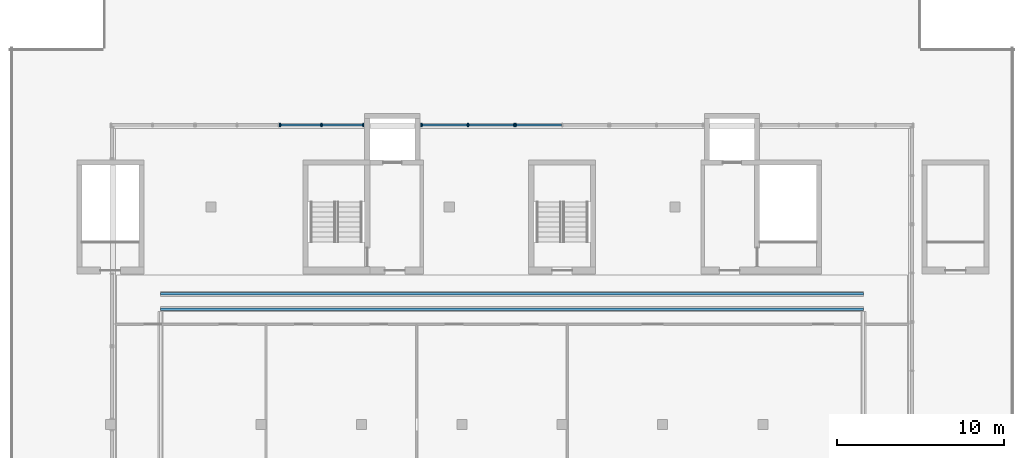
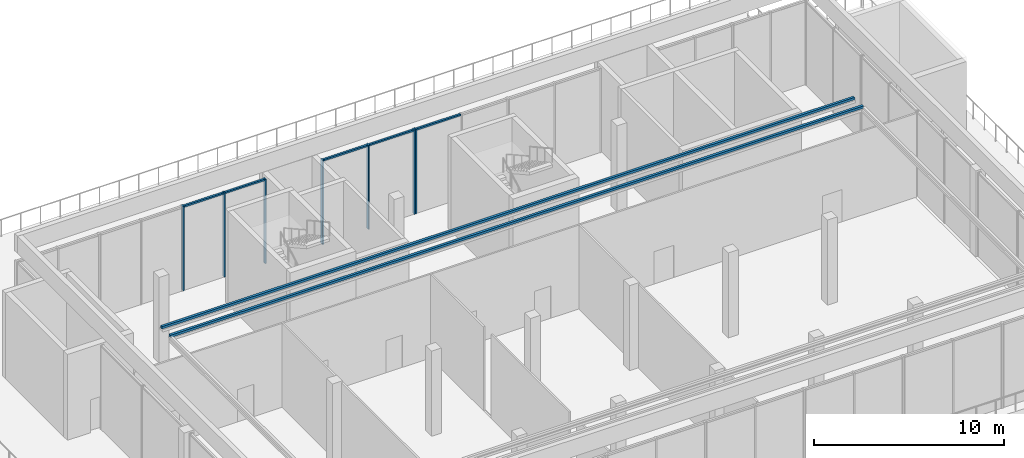
# One storey, part 5 of 11: 14 members, 3 elements without a shape of their own.
"""IFC4 building model written with IfcOpenShell, lengths in metres."""

from ifc_helpers import new_model, si_unit, direction, frame, origin, origin_2d, place, context, subcontext, project, spatial, rectangle, extrude, material, material_profile, profile_set, type_object, element, aggregate, save


model = new_model("IFC4")

# Units and contexts
model_context = context("Model", 3, precision=1e-05, world=origin(), true_north=direction((0.0, 1.0)))
body_context = subcontext(model_context, "Body", "Model", "MODEL_VIEW")
ifc_project = project(units=[si_unit("LENGTHUNIT", "METRE"), si_unit("AREAUNIT", "SQUARE_METRE"), si_unit("VOLUMEUNIT", "CUBIC_METRE"), si_unit("PLANEANGLEUNIT", "RADIAN"), si_unit("MASSUNIT", "GRAM", prefix="KILO")], contexts=[model_context])

# Site, building, storey
site_placement = place(None, origin())
site = spatial("IfcSite", under=ifc_project, at=site_placement, CompositionType="ELEMENT")
building_placement = place(site_placement, origin())
building = spatial("IfcBuilding", under=site, at=building_placement, Name="Calvaro Tower", CompositionType="ELEMENT")
storey_placement = place(building_placement, frame((0.0, 0.0, 271.949951171875)))
storey = spatial("IfcBuildingStorey", under=building, at=storey_placement, Name="L68", CompositionType="ELEMENT", Elevation=271.949951171875)

# Members
ifc_material_1 = material(Name="Steel S355", Category="steel")
ifc_material_profile_1 = material_profile(ifc_material_1, rectangle(XDim=0.14990234375, YDim=0.14990234375, at=origin_2d()), Name="BMU rail 150")
ifc_profile_set_1 = profile_set([ifc_material_profile_1], Name="Steel S355")
member_type_1 = type_object("IfcMemberType", Name="BMU rail 150", PredefinedType="USERDEFINED", material=ifc_profile_set_1)
for number, where, z_axis, x_axis, name in (
    (1, (15.0, 26.800048828125, 6.22509765625), (1.0, 0.0, 0.0), (0.0, 1.0, 0.0), "BMU rail"),
    (2, (15.0, 25.89990234375, 6.22509765625), (1.0, 0.0, 0.0), (0.0, 1.0, 0.0), "BMU rail"),
):
    element("IfcMember", number, at=place(storey_placement, frame(where, z_axis=z_axis, x_axis=x_axis)), inside=storey, type_object=member_type_1, Name=name, ObjectType="BMU RAIL", PredefinedType="USERDEFINED", context=body_context, shape_type="SweptSolid", body=[
        extrude(rectangle(XDim=0.14990234375, YDim=0.14990234375, at=origin_2d()), origin(), (0.0, 0.0, 1.0), 42.0),
    ])

# Curtain wall, members
ifc_material_2 = material(Name="Anodised aluminium", Category="aluminium")
curtain_wall_type = type_object("IfcCurtainWallType", Name="Louvre wall", PredefinedType="NOTDEFINED", material=ifc_material_2)
curtain_wall_1_placement = place(storey_placement, origin())
curtain_wall_1 = element("IfcCurtainWall", 3, at=curtain_wall_1_placement, inside=storey, type_object=curtain_wall_type, Name="CW8 drum louvre wall", PredefinedType="NOTDEFINED")
ifc_material_3 = material(Name="Anodised aluminium", Category="aluminium")
ifc_material_profile_2 = material_profile(ifc_material_3, rectangle(XDim=0.199951171875, YDim=0.080078125, at=origin_2d()), Name="Mullion LV 80 x 200")
ifc_profile_set_2 = profile_set([ifc_material_profile_2], Name="Anodised aluminium")
member_type_2 = type_object("IfcMemberType", Name="Mullion LV 80 x 200", PredefinedType="MULLION", material=ifc_profile_set_2)
member_1_placement = place(storey_placement, frame((22.139892578125, 36.89990234375, 0.0), z_axis=(0.0, 0.0, 1.0), x_axis=(0.0, 1.0, 0.0)))
member_1 = element("IfcMember", 4, at=member_1_placement, type_object=member_type_2, Name="CW8 mullion 1", PredefinedType="MULLION", context=body_context, shape_type="SweptSolid", body=[
    extrude(rectangle(XDim=0.199951171875, YDim=0.080078125, at=origin_2d()), origin(), (0.0, 0.0, 1.0), 5.400146484375),
])
member_2_placement = place(storey_placement, frame((24.625, 36.89990234375, 0.0), z_axis=(0.0, 0.0, 1.0), x_axis=(0.0, 1.0, 0.0)))
member_2 = element("IfcMember", 5, at=member_2_placement, type_object=member_type_2, Name="CW8 mullion 2", PredefinedType="MULLION", context=body_context, shape_type="SweptSolid", body=[
    extrude(rectangle(XDim=0.199951171875, YDim=0.080078125, at=origin_2d()), origin(), (0.0, 0.0, 1.0), 5.400146484375),
])
member_3_placement = place(storey_placement, frame((27.110107421875, 36.89990234375, 0.0), z_axis=(0.0, 0.0, 1.0), x_axis=(0.0, 1.0, 0.0)))
member_3 = element("IfcMember", 6, at=member_3_placement, type_object=member_type_2, Name="CW8 mullion 3", PredefinedType="MULLION", context=body_context, shape_type="SweptSolid", body=[
    extrude(rectangle(XDim=0.199951171875, YDim=0.080078125, at=origin_2d()), origin(), (0.0, 0.0, 1.0), 5.400146484375),
])

curtain_wall_2_placement = place(storey_placement, origin())
curtain_wall_2 = element("IfcCurtainWall", 7, at=curtain_wall_2_placement, inside=storey, type_object=curtain_wall_type, Name="CW8 drum louvre wall", PredefinedType="NOTDEFINED")
member_4_placement = place(storey_placement, frame((30.590087890625, 36.89990234375, 0.0), z_axis=(0.0, 0.0, 1.0), x_axis=(0.0, 1.0, 0.0)))
member_4 = element("IfcMember", 8, at=member_4_placement, type_object=member_type_2, Name="CW8 mullion 1", PredefinedType="MULLION", context=body_context, shape_type="SweptSolid", body=[
    extrude(rectangle(XDim=0.199951171875, YDim=0.080078125, at=origin_2d()), origin(), (0.0, 0.0, 1.0), 5.400146484375),
])
member_5_placement = place(storey_placement, frame((33.36669921875, 36.89990234375, 0.0), z_axis=(0.0, 0.0, 1.0), x_axis=(0.0, 1.0, 0.0)))
member_5 = element("IfcMember", 9, at=member_5_placement, type_object=member_type_2, Name="CW8 mullion 2", PredefinedType="MULLION", context=body_context, shape_type="SweptSolid", body=[
    extrude(rectangle(XDim=0.199951171875, YDim=0.080078125, at=origin_2d()), origin(), (0.0, 0.0, 1.0), 5.400146484375),
])
member_6_placement = place(storey_placement, frame((36.143310546875, 36.89990234375, 0.0), z_axis=(0.0, 0.0, 1.0), x_axis=(0.0, 1.0, 0.0)))
member_6 = element("IfcMember", 10, at=member_6_placement, type_object=member_type_2, Name="CW8 mullion 3", PredefinedType="MULLION", context=body_context, shape_type="SweptSolid", body=[
    extrude(rectangle(XDim=0.199951171875, YDim=0.080078125, at=origin_2d()), origin(), (0.0, 0.0, 1.0), 5.400146484375),
])

# Curtain wall, member
curtain_wall_3_placement = place(storey_placement, origin())
curtain_wall_3 = element("IfcCurtainWall", 11, at=curtain_wall_3_placement, inside=storey, type_object=curtain_wall_type, Name="CW8 drum louvre wall", PredefinedType="NOTDEFINED")
member_7_placement = place(storey_placement, frame((36.223388671875, 36.89990234375, 0.0), z_axis=(0.0, 0.0, 1.0), x_axis=(0.0, 1.0, 0.0)))
member_7 = element("IfcMember", 12, at=member_7_placement, type_object=member_type_2, Name="CW8 mullion 1", PredefinedType="MULLION", context=body_context, shape_type="SweptSolid", body=[
    extrude(rectangle(XDim=0.199951171875, YDim=0.080078125, at=origin_2d()), origin(), (0.0, 0.0, 1.0), 5.400146484375),
])

# Member
ifc_material_4 = material(Name="Anodised aluminium", Category="aluminium")
ifc_material_profile_3 = material_profile(ifc_material_4, rectangle(XDim=0.1201171875, YDim=0.10009765625, at=origin_2d()), Name="Transom LV 100 x 120")
ifc_profile_set_3 = profile_set([ifc_material_profile_3], Name="Anodised aluminium")
member_type_3 = type_object("IfcMemberType", Name="Transom LV 100 x 120", PredefinedType="USERDEFINED", material=ifc_profile_set_3)
member_8_placement = place(storey_placement, frame((22.179931640625, 36.89990234375, 5.35009765625), z_axis=(1.0, 0.0, 0.0), x_axis=(0.0, 1.0, 0.0)))
member_8 = element("IfcMember", 13, at=member_8_placement, type_object=member_type_3, Name="CW8 transom 1.1", ObjectType="TRANSOM", PredefinedType="USERDEFINED", context=body_context, shape_type="SweptSolid", body=[
    extrude(rectangle(XDim=0.1201171875, YDim=0.10009765625, at=origin_2d()), origin(), (0.0, 0.0, 1.0), 2.405029296875),
])

member_9_placement = place(storey_placement, frame((24.6650390625, 36.89990234375, 5.35009765625), z_axis=(1.0, 0.0, 0.0), x_axis=(0.0, 1.0, 0.0)))
member_9 = element("IfcMember", 14, at=member_9_placement, type_object=member_type_3, Name="CW8 transom 2.1", ObjectType="TRANSOM", PredefinedType="USERDEFINED", context=body_context, shape_type="SweptSolid", body=[
    extrude(rectangle(XDim=0.1201171875, YDim=0.10009765625, at=origin_2d()), origin(), (0.0, 0.0, 1.0), 2.405029296875),
])

aggregate(curtain_wall_1, [member_1, member_2, member_3, member_8, member_9])

member_10_placement = place(storey_placement, frame((30.6298828125, 36.89990234375, 5.35009765625), z_axis=(1.0, 0.0, 0.0), x_axis=(0.0, 1.0, 0.0)))
member_10 = element("IfcMember", 15, at=member_10_placement, type_object=member_type_3, Name="CW8 transom 1.1", ObjectType="TRANSOM", PredefinedType="USERDEFINED", context=body_context, shape_type="SweptSolid", body=[
    extrude(rectangle(XDim=0.1201171875, YDim=0.10009765625, at=origin_2d()), origin(), (0.0, 0.0, 1.0), 2.69677734375),
])

member_11_placement = place(storey_placement, frame((33.40673828125, 36.89990234375, 5.35009765625), z_axis=(1.0, 0.0, 0.0), x_axis=(0.0, 1.0, 0.0)))
member_11 = element("IfcMember", 16, at=member_11_placement, type_object=member_type_3, Name="CW8 transom 2.1", ObjectType="TRANSOM", PredefinedType="USERDEFINED", context=body_context, shape_type="SweptSolid", body=[
    extrude(rectangle(XDim=0.1201171875, YDim=0.10009765625, at=origin_2d()), origin(), (0.0, 0.0, 1.0), 2.696533203125),
])

aggregate(curtain_wall_2, [member_4, member_5, member_6, member_10, member_11])

member_12_placement = place(storey_placement, frame((36.263427734375, 36.89990234375, 5.35009765625), z_axis=(1.0, 0.0, 0.0), x_axis=(0.0, 1.0, 0.0)))
member_12 = element("IfcMember", 17, at=member_12_placement, type_object=member_type_3, Name="CW8 transom 1.1", ObjectType="TRANSOM", PredefinedType="USERDEFINED", context=body_context, shape_type="SweptSolid", body=[
    extrude(rectangle(XDim=0.1201171875, YDim=0.10009765625, at=origin_2d()), origin(), (0.0, 0.0, 1.0), 2.696533203125),
])

aggregate(curtain_wall_3, [member_7, member_12])

save(model, "model.ifc")
